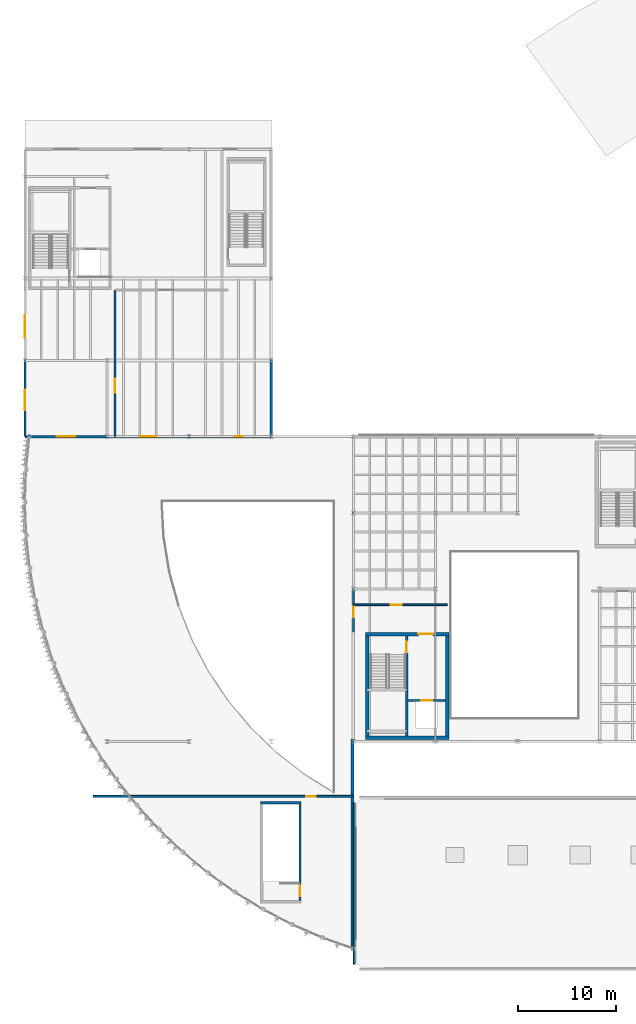
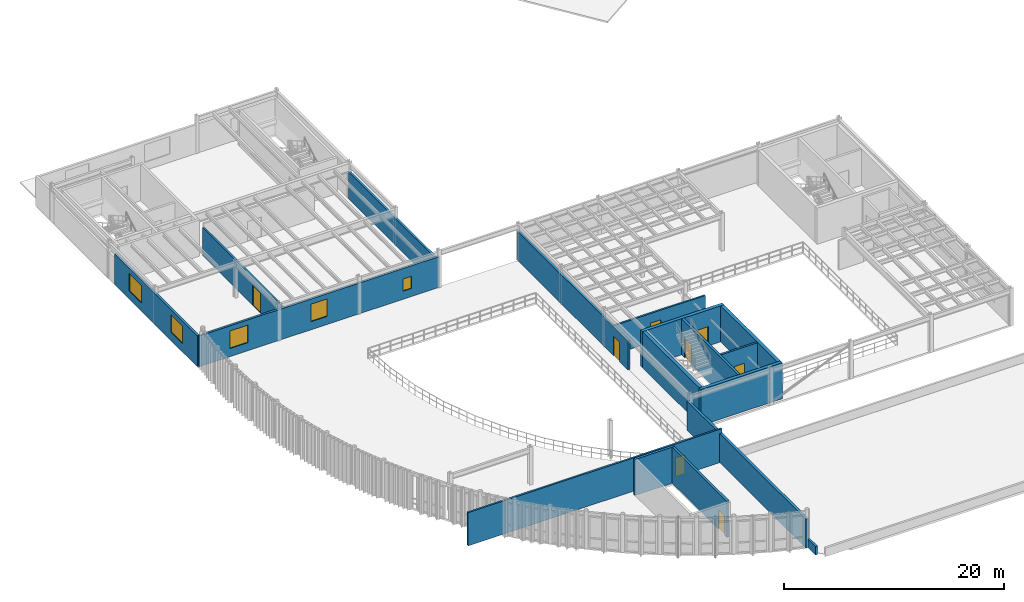
# One storey, part 37 of 54: 17 walls, 8 doors, 5 windows, 13 openings.
"""IFC4 building model written with IfcOpenShell, lengths in metres."""

from ifc_helpers import new_model, si_unit, direction, frame, frame_2d, origin, place, context, subcontext, project, spatial, rectangle, extrude, material, layer, layer_set, type_object, element, fill, save


model = new_model("IFC4")

# Units and contexts
model_context = context("Model", 3, precision=1e-05, world=origin(), true_north=direction((0.0, 1.0)))
body_context = subcontext(model_context, "Body", "Model", "MODEL_VIEW")
ifc_project = project(units=[si_unit("LENGTHUNIT", "METRE"), si_unit("AREAUNIT", "SQUARE_METRE"), si_unit("VOLUMEUNIT", "CUBIC_METRE"), si_unit("PLANEANGLEUNIT", "RADIAN"), si_unit("MASSUNIT", "GRAM", prefix="KILO")], contexts=[model_context])

# Site, building, storey
site_placement = place(None, origin())
site = spatial("IfcSite", under=ifc_project, at=site_placement, CompositionType="ELEMENT")
building_placement = place(site_placement, origin())
building = spatial("IfcBuilding", under=site, at=building_placement, Name="Selat Folded Stagehouse", CompositionType="ELEMENT")
storey_placement = place(building_placement, frame((0.0, 0.0, 15.0)))
storey = spatial("IfcBuildingStorey", under=building, at=storey_placement, Name="L03", CompositionType="ELEMENT", Elevation=15.0)

# Wall, opening, door
ifc_material_1 = material(Name="Acoustic twin-frame drywall partition", Category="gypsum")
ifc_layer_1 = layer(ifc_material_1, 0.18994140625)
ifc_layer_set_1 = layer_set([ifc_layer_1], Name="Acoustic twin-frame drywall partition")
wall_type_1 = type_object("IfcWallType", Name="WAL-ACOU-190", PredefinedType="PARTITIONING", material=ifc_layer_set_1)
wall_1_placement = place(storey_placement, frame((7.0, 17.800048828125, 0.0), z_axis=(0.0, 0.0, 1.0), x_axis=(1.0, 0.0, 0.0)))
wall_1 = element("IfcWall", 1, at=wall_1_placement, inside=storey, type_object=wall_type_1, Name="L03 interior partition wall 090", PredefinedType="PARTITIONING", context=body_context, shape_type="SweptSolid", body=[
    extrude(rectangle(XDim=26.60009765625, YDim=0.18994140625, at=frame_2d((13.300048828125, 0.0))), origin(), (0.0, 0.0, 1.0), 3.69189453125),
])
opening_1_placement = place(wall_1_placement, frame((21.760009765625, 0.0, 0.0)))
opening_1 = element("IfcOpeningElement", 2, at=opening_1_placement, cuts=wall_1, Name="Opening FD-30", PredefinedType="OPENING", context=body_context, shape_type="SweptSolid", body=[
    extrude(rectangle(XDim=1.0, YDim=2.10009765625, at=frame_2d((0.5, 1.050048828125))), frame((0.0, 0.10498046875, 0.0), z_axis=(0.0, -1.0, 0.0), x_axis=(1.0, 0.0, 0.0)), (0.0, 0.0, 1.0), 0.2099609375),
])
ifc_material_2 = material(Name="Smoke-sealed fire door", Category="wood")
door_type_1 = type_object("IfcDoorType", Name="DOR-FIRE-30", OperationType="NOTDEFINED", PredefinedType="DOOR", material=ifc_material_2)
door_1_placement = place(opening_1_placement, origin())
door_1 = element("IfcDoor", 3, at=door_1_placement, inside=storey, type_object=door_type_1, Name="L03 interior door IWAL-L03-090-1", OperationType="SINGLE_SWING_RIGHT", OverallHeight=2.10009765625, OverallWidth=1.0, PredefinedType="DOOR", context=body_context, shape_type="SweptSolid", body=[
    extrude(rectangle(XDim=1.0, YDim=2.10009765625, at=frame_2d((0.5, 1.050048828125))), frame((0.0, 0.02490234375, 0.0), z_axis=(0.0, -1.0, 0.0), x_axis=(1.0, 0.0, 0.0)), (0.0, 0.0, 1.0), 0.050048828125),
])
fill(opening_1, door_1)

wall_2_placement = place(storey_placement, frame((9.199951171875, 54.60009765625, 0.0), z_axis=(0.0, 0.0, 1.0), x_axis=(0.0, 1.0, 0.0)))
wall_2 = element("IfcWall", 4, at=wall_2_placement, inside=storey, type_object=wall_type_1, Name="L03 interior partition wall 098", PredefinedType="PARTITIONING", context=body_context, shape_type="SweptSolid", body=[
    extrude(rectangle(XDim=15.0, YDim=0.18994140625, at=frame_2d((7.5, 0.0))), origin(), (0.0, 0.0, 1.0), 3.10107421875),
])
opening_2_placement = place(wall_2_placement, frame((4.471435546875, 0.0, 0.0)))
opening_2 = element("IfcOpeningElement", 5, at=opening_2_placement, cuts=wall_2, Name="Opening RD-02", PredefinedType="OPENING", context=body_context, shape_type="SweptSolid", body=[
    extrude(rectangle(XDim=1.449951171875, YDim=2.199951171875, at=frame_2d((0.72509765625, 1.10009765625))), frame((0.0, 0.10498046875, 0.0), z_axis=(0.0, -1.0, 0.0), x_axis=(1.0, 0.0, 0.0)), (0.0, 0.0, 1.0), 0.2099609375),
])
ifc_material_3 = material(Name="Music studio acoustic door", Category="wood")
door_type_2 = type_object("IfcDoorType", Name="DOR-REH-1450", OperationType="NOTDEFINED", PredefinedType="DOOR", material=ifc_material_3)
door_2_placement = place(opening_2_placement, origin())
door_2 = element("IfcDoor", 6, at=door_2_placement, inside=storey, type_object=door_type_2, Name="L03 interior door IWAL-L03-098-1", OperationType="SINGLE_SWING_RIGHT", OverallHeight=2.199951171875, OverallWidth=1.449951171875, PredefinedType="DOOR", context=body_context, shape_type="SweptSolid", body=[
    extrude(rectangle(XDim=1.449951171875, YDim=2.199951171875, at=frame_2d((0.72509765625, 1.10009765625))), frame((0.0, 0.02490234375, 0.0), z_axis=(0.0, -1.0, 0.0), x_axis=(1.0, 0.0, 0.0)), (0.0, 0.0, 1.0), 0.050048828125),
])
fill(opening_2, door_2)

ifc_material_4 = material(Name="Concrete C40/50", Category="concrete")
ifc_layer_2 = layer(ifc_material_4, 0.179931640625)
ifc_layer_set_2 = layer_set([ifc_layer_2], Name="Concrete C40/50")
wall_type_2 = type_object("IfcWallType", Name="WAL-COMP-180", PredefinedType="STANDARD", material=ifc_layer_set_2)
wall_3_placement = place(storey_placement, frame((33.60009765625, 37.39990234375, 0.0), z_axis=(0.0, 0.0, 1.0), x_axis=(1.0, 0.0, 0.0)))
wall_3 = element("IfcWall", 7, at=wall_3_placement, inside=storey, type_object=wall_type_2, Name="L03 interior partition wall 092", PredefinedType="STANDARD", context=body_context, shape_type="SweptSolid", body=[
    extrude(rectangle(XDim=9.599853515625, YDim=0.179931640625, at=frame_2d((4.7998046875, 0.0))), origin(), (0.0, 0.0, 1.0), 3.22216796875),
])
opening_3_placement = place(wall_3_placement, frame((3.824951171875, 0.0, 0.0)))
opening_3 = element("IfcOpeningElement", 8, at=opening_3_placement, cuts=wall_3, Name="Opening FD-60", PredefinedType="OPENING", context=body_context, shape_type="SweptSolid", body=[
    extrude(rectangle(XDim=1.10009765625, YDim=2.14990234375, at=frame_2d((0.550048828125, 1.074951171875))), frame((0.0, 0.099853515625, 0.0), z_axis=(0.0, -1.0, 0.0), x_axis=(1.0, 0.0, 0.0)), (0.0, 0.0, 1.0), 0.199951171875),
])
ifc_material_5 = material(Name="Fire-rated timber core door", Category="wood")
door_type_3 = type_object("IfcDoorType", Name="DOR-FIRE-60", OperationType="NOTDEFINED", PredefinedType="DOOR", material=ifc_material_5)
door_3_placement = place(opening_3_placement, origin())
door_3 = element("IfcDoor", 9, at=door_3_placement, inside=storey, type_object=door_type_3, Name="L03 interior door IWAL-L03-092-1", OperationType="SINGLE_SWING_RIGHT", OverallHeight=2.14990234375, OverallWidth=1.10009765625, PredefinedType="DOOR", context=body_context, shape_type="SweptSolid", body=[
    extrude(rectangle(XDim=1.10009765625, YDim=2.14990234375, at=frame_2d((0.550048828125, 1.074951171875))), frame((0.0, 0.02490234375, 0.0), z_axis=(0.0, -1.0, 0.0), x_axis=(1.0, 0.0, 0.0)), (0.0, 0.0, 1.0), 0.050048828125),
])
fill(opening_3, door_3)

ifc_layer_3 = layer(ifc_material_4, 0.215087890625)
ifc_layer_set_3 = layer_set([ifc_layer_3], Name="Concrete C40/50")
wall_type_3 = type_object("IfcWallType", Name="WAL-COMP-215", PredefinedType="STANDARD", material=ifc_layer_set_3)
wall_4_placement = place(storey_placement, frame((39.2099609375, 27.60009765625, 0.0), z_axis=(0.0, 0.0, 1.0), x_axis=(1.0, 0.0, 0.0)))
wall_4 = element("IfcWall", 10, at=wall_4_placement, inside=storey, type_object=wall_type_3, Name="L03 FL-01 lift shaft front wall", PredefinedType="STANDARD", context=body_context, shape_type="SweptSolid", body=[
    extrude(rectangle(XDim=3.794921875, YDim=0.215087890625, at=frame_2d((1.8974609375, 0.0))), origin(), (0.0, 0.0, 1.0), 3.991943359375),
])
opening_4_placement = place(wall_4_placement, frame((1.347412109375, 0.0, 0.0)))
opening_4 = element("IfcOpeningElement", 11, at=opening_4_placement, cuts=wall_4, Name="Opening LD-01", PredefinedType="OPENING", context=body_context, shape_type="SweptSolid", body=[
    extrude(rectangle(XDim=1.10009765625, YDim=2.199951171875, at=frame_2d((0.550048828125, 1.10009765625))), frame((0.0, 0.117431640625, 0.0), z_axis=(0.0, -1.0, 0.0), x_axis=(1.0, 0.0, 0.0)), (0.0, 0.0, 1.0), 0.235107421875),
])
ifc_material_6 = material(Name="Firefighting lift stainless sliding landing door", Category="wood")
door_type_4 = type_object("IfcDoorType", Name="DOR-LFT-1100", OperationType="NOTDEFINED", PredefinedType="DOOR", material=ifc_material_6)
door_4_placement = place(opening_4_placement, origin())
door_4 = element("IfcDoor", 12, at=door_4_placement, inside=storey, type_object=door_type_4, Name="L03 FL-01 lift sliding landing door", OperationType="SLIDING_TO_LEFT", OverallHeight=2.199951171875, OverallWidth=1.10009765625, PredefinedType="DOOR", context=body_context, shape_type="SweptSolid", body=[
    extrude(rectangle(XDim=1.10009765625, YDim=2.199951171875, at=frame_2d((0.550048828125, 1.10009765625))), frame((0.0, 0.02490234375, 0.0), z_axis=(0.0, -1.0, 0.0), x_axis=(1.0, 0.0, 0.0)), (0.0, 0.0, 1.0), 0.050048828125),
])
fill(opening_4, door_4)

wall_5_placement = place(storey_placement, frame((33.60009765625, 34.60009765625, 0.0), z_axis=(0.0, 0.0, 1.0), x_axis=(0.0, 1.0, 0.0)))
wall_5 = element("IfcWall", 13, at=wall_5_placement, inside=storey, type_object=wall_type_3, Name="L03 interior partition wall 091", PredefinedType="STANDARD", context=body_context, shape_type="SweptSolid", body=[
    extrude(rectangle(XDim=20.0, YDim=0.215087890625, at=frame_2d((10.0, 0.0))), origin(), (0.0, 0.0, 1.0), 3.22216796875),
])
opening_5_placement = place(wall_5_placement, frame((1.511962890625, 0.0, 0.0)))
opening_5 = element("IfcOpeningElement", 14, at=opening_5_placement, cuts=wall_5, Name="Opening FD-60", PredefinedType="OPENING", context=body_context, shape_type="SweptSolid", body=[
    extrude(rectangle(XDim=1.10009765625, YDim=2.14990234375, at=frame_2d((0.550048828125, 1.074951171875))), frame((0.0, 0.117431640625, 0.0), z_axis=(0.0, -1.0, 0.0), x_axis=(1.0, 0.0, 0.0)), (0.0, 0.0, 1.0), 0.235107421875),
])
door_5_placement = place(opening_5_placement, origin())
door_5 = element("IfcDoor", 15, at=door_5_placement, inside=storey, type_object=door_type_3, Name="L03 interior door IWAL-L03-091-1", OperationType="SINGLE_SWING_LEFT", OverallHeight=2.14990234375, OverallWidth=1.10009765625, PredefinedType="DOOR", context=body_context, shape_type="SweptSolid", body=[
    extrude(rectangle(XDim=1.10009765625, YDim=2.14990234375, at=frame_2d((0.550048828125, 1.074951171875))), frame((0.0, 0.02490234375, 0.0), z_axis=(0.0, -1.0, 0.0), x_axis=(1.0, 0.0, 0.0)), (0.0, 0.0, 1.0), 0.050048828125),
])
fill(opening_5, door_5)

# Wall
ifc_material_7 = material(Name="Concrete C50/60", Category="concrete")
ifc_layer_4 = layer(ifc_material_7, 0.25)
ifc_layer_set_4 = layer_set([ifc_layer_4], Name="Concrete C50/60")
wall_type_4 = type_object("IfcWallType", Name="WAL-CORE-250", PredefinedType="SHEAR", material=ifc_layer_set_4)
wall_6_placement = place(storey_placement, frame((24.114990234375, 17.159912109375, 0.0), z_axis=(0.0, 0.0, 1.0), x_axis=(1.0, 0.0, 0.0)))
element("IfcWall", 16, at=wall_6_placement, inside=storey, type_object=wall_type_4, Name="L03 ST-09 north shaft wall", PredefinedType="SHEAR", context=body_context, shape_type="SweptSolid", body=[
    extrude(rectangle(XDim=4.14990234375, YDim=0.25, at=frame_2d((2.074951171875, 0.0))), origin(), (0.0, 0.0, 1.0), 4.0),
])

# Wall, opening, door
wall_7_placement = place(storey_placement, frame((28.139892578125, 17.034912109375, 0.0), z_axis=(0.0, 0.0, 1.0), x_axis=(0.0, -1.0, 0.0)))
wall_7 = element("IfcWall", 17, at=wall_7_placement, inside=storey, type_object=wall_type_4, Name="L03 ST-09 east shaft wall", PredefinedType="SHEAR", context=body_context, shape_type="SweptSolid", body=[
    extrude(rectangle(XDim=9.909912109375, YDim=0.25, at=frame_2d((4.955078125, 0.0))), origin(), (0.0, 0.0, 1.0), 4.0),
])
opening_6_placement = place(wall_7_placement, frame((8.360107421875, 0.0, 0.0)))
opening_6 = element("IfcOpeningElement", 18, at=opening_6_placement, cuts=wall_7, Name="Opening FD-60", PredefinedType="OPENING", context=body_context, shape_type="SweptSolid", body=[
    extrude(rectangle(XDim=1.10009765625, YDim=2.14990234375, at=frame_2d((0.550048828125, 1.074951171875))), frame((0.0, 0.135009765625, 0.0), z_axis=(0.0, -1.0, 0.0), x_axis=(1.0, 0.0, 0.0)), (0.0, 0.0, 1.0), 0.27001953125),
])
door_6_placement = place(opening_6_placement, origin())
door_6 = element("IfcDoor", 19, at=door_6_placement, inside=storey, type_object=door_type_3, Name="L03 ST-09 stair door", OperationType="SINGLE_SWING_RIGHT", OverallHeight=2.14990234375, OverallWidth=1.10009765625, PredefinedType="DOOR", context=body_context, shape_type="SweptSolid", body=[
    extrude(rectangle(XDim=1.10009765625, YDim=2.14990234375, at=frame_2d((0.550048828125, 1.074951171875))), frame((0.0, 0.02490234375, 0.0), z_axis=(0.0, -1.0, 0.0), x_axis=(1.0, 0.0, 0.0)), (0.0, 0.0, 1.0), 0.050048828125),
])
fill(opening_6, door_6)

wall_8_placement = place(storey_placement, frame((39.050048828125, 34.22509765625, 0.0), z_axis=(0.0, 0.0, 1.0), x_axis=(0.0, -1.0, 0.0)))
wall_8 = element("IfcWall", 20, at=wall_8_placement, inside=storey, type_object=wall_type_4, Name="L03 CR-1 internal core divider wall", PredefinedType="SHEAR", context=body_context, shape_type="SweptSolid", body=[
    extrude(rectangle(XDim=10.25, YDim=0.25, at=frame_2d((5.125, 0.0))), origin(), (0.0, 0.0, 1.0), 4.0),
])
opening_7_placement = place(wall_8_placement, frame((0.550048828125, 0.0, 0.0)))
opening_7 = element("IfcOpeningElement", 21, at=opening_7_placement, cuts=wall_8, Name="Opening FD-120", PredefinedType="OPENING", context=body_context, shape_type="SweptSolid", body=[
    extrude(rectangle(XDim=1.199951171875, YDim=2.14990234375, at=frame_2d((0.60009765625, 1.074951171875))), frame((0.0, 0.135009765625, 0.0), z_axis=(0.0, -1.0, 0.0), x_axis=(1.0, 0.0, 0.0)), (0.0, 0.0, 1.0), 0.27001953125),
])
ifc_material_8 = material(Name="Fire-rated steel acoustic door", Category="steel")
door_type_5 = type_object("IfcDoorType", Name="DOR-FIRE-120", OperationType="NOTDEFINED", PredefinedType="DOOR", material=ifc_material_8)
door_7_placement = place(opening_7_placement, origin())
door_7 = element("IfcDoor", 22, at=door_7_placement, inside=storey, type_object=door_type_5, Name="L03 CR-1 protected stair fire door", OperationType="SINGLE_SWING_LEFT", OverallHeight=2.14990234375, OverallWidth=1.199951171875, PredefinedType="DOOR", context=body_context, shape_type="SweptSolid", body=[
    extrude(rectangle(XDim=1.199951171875, YDim=2.14990234375, at=frame_2d((0.60009765625, 1.074951171875))), frame((0.0, 0.02490234375, 0.0), z_axis=(0.0, -1.0, 0.0), x_axis=(1.0, 0.0, 0.0)), (0.0, 0.0, 1.0), 0.050048828125),
])
fill(opening_7, door_7)

# Wall, openings, windows
ifc_material_9 = material(Name="Precast concrete C40/50", Category="concrete")
ifc_layer_5 = layer(ifc_material_9, 0.22998046875)
ifc_layer_set_5 = layer_set([ifc_layer_5], Name="Precast concrete C40/50")
wall_type_5 = type_object("IfcWallType", Name="WAL-EXT-230", PredefinedType="STANDARD", material=ifc_layer_set_5)
wall_9_placement = place(storey_placement, frame((25.199951171875, 54.60009765625, 0.0), z_axis=(0.0, 0.0, 1.0), x_axis=(-1.0, 0.0, 0.0)))
wall_9 = element("IfcWall", 23, at=wall_9_placement, inside=storey, type_object=wall_type_5, Name="L03 exterior facade wall EW-L03-V4S", PredefinedType="STANDARD", context=body_context, shape_type="SweptSolid", body=[
    extrude(rectangle(XDim=25.199951171875, YDim=0.22998046875, at=frame_2d((12.60009765625, 0.0))), origin(), (0.0, 0.0, 1.0), 3.41259765625),
])
opening_8_placement = place(wall_9_placement, frame((2.89990234375, 0.0, 0.89990234375)))
opening_8 = element("IfcOpeningElement", 24, at=opening_8_placement, cuts=wall_9, Name="Opening WN-44", PredefinedType="OPENING", context=body_context, shape_type="SweptSolid", body=[
    extrude(rectangle(XDim=0.89990234375, YDim=1.35009765625, at=frame_2d((0.449951171875, 0.675048828125))), frame((0.0, 0.125, 0.0), z_axis=(0.0, -1.0, 0.0), x_axis=(1.0, 0.0, 0.0)), (0.0, 0.0, 1.0), 0.25),
])
opening_9_placement = place(wall_9_placement, frame((11.75, 0.0, 0.89990234375)))
opening_9 = element("IfcOpeningElement", 25, at=opening_9_placement, cuts=wall_9, Name="Opening WN-32", PredefinedType="OPENING", context=body_context, shape_type="SweptSolid", body=[
    extrude(rectangle(XDim=1.699951171875, YDim=1.949951171875, at=frame_2d((0.85009765625, 0.97509765625))), frame((0.0, 0.125, 0.0), z_axis=(0.0, -1.0, 0.0), x_axis=(1.0, 0.0, 0.0)), (0.0, 0.0, 1.0), 0.25),
])
opening_10_placement = place(wall_9_placement, frame((20.050048828125, 0.0, 0.89990234375)))
opening_10 = element("IfcOpeningElement", 26, at=opening_10_placement, cuts=wall_9, Name="Opening WN-31", PredefinedType="OPENING", context=body_context, shape_type="SweptSolid", body=[
    extrude(rectangle(XDim=1.89990234375, YDim=1.949951171875, at=frame_2d((0.949951171875, 0.97509765625))), frame((0.0, 0.125, 0.0), z_axis=(0.0, -1.0, 0.0), x_axis=(1.0, 0.0, 0.0)), (0.0, 0.0, 1.0), 0.25),
])
ifc_material_10 = material(Name="Thermally broken aluminium and acoustic low-E glass", Category="aluminium")
window_type_1 = type_object("IfcWindowType", Name="WIN-ED-1700x1950", PartitioningType="SINGLE_PANEL", PredefinedType="WINDOW", material=ifc_material_10)
window_1_placement = place(opening_9_placement, origin())
window_1 = element("IfcWindow", 27, at=window_1_placement, inside=storey, type_object=window_type_1, Name="L03 exterior window EW-L03-V4S-2", OverallHeight=1.949951171875, OverallWidth=1.699951171875, PartitioningType="SINGLE_PANEL", PredefinedType="WINDOW", context=body_context, shape_type="SweptSolid", body=[
    extrude(rectangle(XDim=1.699951171875, YDim=1.949951171875, at=frame_2d((0.85009765625, 0.97509765625))), frame((0.0, 0.030029296875, 0.0), z_axis=(0.0, -1.0, 0.0), x_axis=(1.0, 0.0, 0.0)), (0.0, 0.0, 1.0), 0.06005859375),
])
fill(opening_9, window_1)
window_type_2 = type_object("IfcWindowType", Name="WIN-ED-1900x1950", PartitioningType="SINGLE_PANEL", PredefinedType="WINDOW", material=ifc_material_10)
window_2_placement = place(opening_10_placement, origin())
window_2 = element("IfcWindow", 28, at=window_2_placement, inside=storey, type_object=window_type_2, Name="L03 exterior window EW-L03-V4S-3", OverallHeight=1.949951171875, OverallWidth=1.89990234375, PartitioningType="SINGLE_PANEL", PredefinedType="WINDOW", context=body_context, shape_type="SweptSolid", body=[
    extrude(rectangle(XDim=1.89990234375, YDim=1.949951171875, at=frame_2d((0.949951171875, 0.97509765625))), frame((0.0, 0.030029296875, 0.0), z_axis=(0.0, -1.0, 0.0), x_axis=(1.0, 0.0, 0.0)), (0.0, 0.0, 1.0), 0.06005859375),
])
fill(opening_10, window_2)
window_type_3 = type_object("IfcWindowType", Name="WIN-ST-0900x1350", PartitioningType="SINGLE_PANEL", PredefinedType="WINDOW", material=ifc_material_10)
window_3_placement = place(opening_8_placement, origin())
window_3 = element("IfcWindow", 29, at=window_3_placement, inside=storey, type_object=window_type_3, Name="L03 exterior window EW-L03-V4S-1", OverallHeight=1.35009765625, OverallWidth=0.89990234375, PartitioningType="SINGLE_PANEL", PredefinedType="WINDOW", context=body_context, shape_type="SweptSolid", body=[
    extrude(rectangle(XDim=0.89990234375, YDim=1.35009765625, at=frame_2d((0.449951171875, 0.675048828125))), frame((0.0, 0.030029296875, 0.0), z_axis=(0.0, -1.0, 0.0), x_axis=(1.0, 0.0, 0.0)), (0.0, 0.0, 1.0), 0.06005859375),
])
fill(opening_8, window_3)

wall_10_placement = place(storey_placement, frame((0.0, 54.60009765625, 0.0), z_axis=(0.0, 0.0, 1.0), x_axis=(0.0, 1.0, 0.0)))
wall_10 = element("IfcWall", 30, at=wall_10_placement, inside=storey, type_object=wall_type_5, Name="L03 exterior facade wall EW-L03-V4W-1", PredefinedType="STANDARD", context=body_context, shape_type="SweptSolid", body=[
    extrude(rectangle(XDim=15.0, YDim=0.22998046875, at=frame_2d((7.5, 0.0))), origin(), (0.0, 0.0, 1.0), 3.4189453125),
])
opening_11_placement = place(wall_10_placement, frame((2.699951171875, 0.0, 0.89990234375)))
opening_11 = element("IfcOpeningElement", 31, at=opening_11_placement, cuts=wall_10, Name="Opening WN-30", PredefinedType="OPENING", context=body_context, shape_type="SweptSolid", body=[
    extrude(rectangle(XDim=2.10009765625, YDim=1.949951171875, at=frame_2d((1.050048828125, 0.97509765625))), frame((0.0, 0.125, 0.0), z_axis=(0.0, -1.0, 0.0), x_axis=(1.0, 0.0, 0.0)), (0.0, 0.0, 1.0), 0.25),
])
opening_12_placement = place(wall_10_placement, frame((10.10009765625, 0.0, 0.89990234375)))
opening_12 = element("IfcOpeningElement", 32, at=opening_12_placement, cuts=wall_10, Name="Opening WN-29", PredefinedType="OPENING", context=body_context, shape_type="SweptSolid", body=[
    extrude(rectangle(XDim=2.300048828125, YDim=1.949951171875, at=frame_2d((1.14990234375, 0.97509765625))), frame((0.0, 0.125, 0.0), z_axis=(0.0, -1.0, 0.0), x_axis=(1.0, 0.0, 0.0)), (0.0, 0.0, 1.0), 0.25),
])
window_type_4 = type_object("IfcWindowType", Name="WIN-ED-2100x1950", PartitioningType="SINGLE_PANEL", PredefinedType="WINDOW", material=ifc_material_10)
window_4_placement = place(opening_11_placement, origin())
window_4 = element("IfcWindow", 33, at=window_4_placement, inside=storey, type_object=window_type_4, Name="L03 exterior window EW-L03-V4W-1-1", OverallHeight=1.949951171875, OverallWidth=2.10009765625, PartitioningType="SINGLE_PANEL", PredefinedType="WINDOW", context=body_context, shape_type="SweptSolid", body=[
    extrude(rectangle(XDim=2.10009765625, YDim=1.949951171875, at=frame_2d((1.050048828125, 0.97509765625))), frame((0.0, 0.030029296875, 0.0), z_axis=(0.0, -1.0, 0.0), x_axis=(1.0, 0.0, 0.0)), (0.0, 0.0, 1.0), 0.06005859375),
])
fill(opening_11, window_4)
window_type_5 = type_object("IfcWindowType", Name="WIN-ED-2300x1950", PartitioningType="SINGLE_PANEL", PredefinedType="WINDOW", material=ifc_material_10)
window_5_placement = place(opening_12_placement, origin())
window_5 = element("IfcWindow", 34, at=window_5_placement, inside=storey, type_object=window_type_5, Name="L03 exterior window EW-L03-V4W-1-2", OverallHeight=1.949951171875, OverallWidth=2.300048828125, PartitioningType="SINGLE_PANEL", PredefinedType="WINDOW", context=body_context, shape_type="SweptSolid", body=[
    extrude(rectangle(XDim=2.300048828125, YDim=1.949951171875, at=frame_2d((1.14990234375, 0.97509765625))), frame((0.0, 0.030029296875, 0.0), z_axis=(0.0, -1.0, 0.0), x_axis=(1.0, 0.0, 0.0)), (0.0, 0.0, 1.0), 0.06005859375),
])
fill(opening_12, window_5)

# Walls
wall_11_placement = place(storey_placement, frame((25.199951171875, 70.800048828125, 0.0), z_axis=(0.0, 0.0, 1.0), x_axis=(0.0, -1.0, 0.0)))
element("IfcWall", 35, at=wall_11_placement, inside=storey, type_object=wall_type_5, Name="L03 exterior facade wall EW-L03-V4E-2", PredefinedType="STANDARD", context=body_context, shape_type="SweptSolid", body=[
    extrude(rectangle(XDim=16.199951171875, YDim=0.22998046875, at=frame_2d((8.10009765625, 0.0))), origin(), (0.0, 0.0, 1.0), 2.964111328125),
])
ifc_layer_6 = layer(ifc_material_9, 0.27490234375)
ifc_layer_set_6 = layer_set([ifc_layer_6], Name="Precast concrete C40/50")
wall_type_6 = type_object("IfcWallType", Name="WAL-EXT-275", PredefinedType="STANDARD", material=ifc_layer_set_6)
wall_12_placement = place(storey_placement, frame((33.52001953125, 2.050048828125, 0.0), z_axis=(0.0, 0.0, 1.0), x_axis=(0.0, 1.0, 0.0)))
element("IfcWall", 36, at=wall_12_placement, inside=storey, type_object=wall_type_6, Name="L03 exterior facade wall EW-L03-V1E-ALL", PredefinedType="STANDARD", context=body_context, shape_type="SweptSolid", body=[
    extrude(rectangle(XDim=21.599853515625, YDim=0.27490234375, at=frame_2d((10.7998046875, 0.0))), origin(), (0.0, 0.0, 1.0), 3.22216796875),
])
ifc_layer_7 = layer(ifc_material_9, 0.199951171875)
ifc_layer_set_7 = layer_set([ifc_layer_7], Name="Precast concrete C40/50")
wall_type_7 = type_object("IfcWallType", Name="WAL-PAR-200", PredefinedType="PARAPET", material=ifc_layer_set_7)
wall_13_placement = place(storey_placement, frame((33.699951171875, 17.14990234375, 0.0), z_axis=(0.0, 0.0, 1.0), x_axis=(0.0, -1.0, 0.0)))
element("IfcWall", 37, at=wall_13_placement, inside=storey, type_object=wall_type_7, Name="L03 roof parapet 04", PredefinedType="PARAPET", context=body_context, shape_type="SweptSolid", body=[
    extrude(rectangle(XDim=16.5, YDim=0.199951171875, at=frame_2d((8.25, 0.0))), origin(), (0.0, 0.0, 1.0), 0.949951171875),
])
ifc_layer_8 = layer(ifc_material_7, 0.35009765625)
ifc_layer_set_8 = layer_set([ifc_layer_8], Name="Concrete C50/60")
wall_type_8 = type_object("IfcWallType", Name="WAL-SW-350", PredefinedType="SHEAR", material=ifc_layer_set_8)
wall_14_placement = place(storey_placement, frame((43.375, 23.800048828125, 0.0), z_axis=(0.0, 0.0, 1.0), x_axis=(-1.0, 0.0, 0.0)))
element("IfcWall", 38, at=wall_14_placement, inside=storey, type_object=wall_type_8, Name="L03 CR-1 south shear wall", PredefinedType="SHEAR", context=body_context, shape_type="SweptSolid", body=[
    extrude(rectangle(XDim=8.550048828125, YDim=0.35009765625, at=frame_2d((4.27490234375, 0.0))), origin(), (0.0, 0.0, 1.0), 4.0),
])

# Wall, opening, door
wall_15_placement = place(storey_placement, frame((34.824951171875, 34.39990234375, 0.0), z_axis=(0.0, 0.0, 1.0), x_axis=(1.0, 0.0, 0.0)))
wall_15 = element("IfcWall", 39, at=wall_15_placement, inside=storey, type_object=wall_type_8, Name="L03 CR-1 north shear wall", PredefinedType="SHEAR", context=body_context, shape_type="SweptSolid", body=[
    extrude(rectangle(XDim=8.550048828125, YDim=0.35009765625, at=frame_2d((4.27490234375, 0.0))), origin(), (0.0, 0.0, 1.0), 4.0),
])
opening_13_placement = place(wall_15_placement, frame((5.425048828125, 0.0, 0.0)))
opening_13 = element("IfcOpeningElement", 40, at=opening_13_placement, cuts=wall_15, Name="Opening FD-120B", PredefinedType="OPENING", context=body_context, shape_type="SweptSolid", body=[
    extrude(rectangle(XDim=1.5, YDim=2.14990234375, at=frame_2d((0.75, 1.074951171875))), frame((0.0, 0.18505859375, 0.0), z_axis=(0.0, -1.0, 0.0), x_axis=(1.0, 0.0, 0.0)), (0.0, 0.0, 1.0), 0.3701171875),
])
ifc_material_11 = material(Name="Firefighting lobby double-leaf fire door", Category="wood")
door_type_6 = type_object("IfcDoorType", Name="DOR-FFL-1500", OperationType="NOTDEFINED", PredefinedType="DOOR", material=ifc_material_11)
door_8_placement = place(opening_13_placement, origin())
door_8 = element("IfcDoor", 41, at=door_8_placement, inside=storey, type_object=door_type_6, Name="L03 CR-1 core lobby fire door", OperationType="SINGLE_SWING_RIGHT", OverallHeight=2.14990234375, OverallWidth=1.5, PredefinedType="DOOR", context=body_context, shape_type="SweptSolid", body=[
    extrude(rectangle(XDim=1.5, YDim=2.14990234375, at=frame_2d((0.75, 1.074951171875))), frame((0.0, 0.02490234375, 0.0), z_axis=(0.0, -1.0, 0.0), x_axis=(1.0, 0.0, 0.0)), (0.0, 0.0, 1.0), 0.050048828125),
])
fill(opening_13, door_8)

# Walls
for number, where, z_axis, x_axis, name in (
    (42, (35.0, 23.97509765625, 0.0), (0.0, 0.0, 1.0), (0.0, 1.0, 0.0), "L03 CR-1 west shear wall"),
    (43, (43.199951171875, 34.22509765625, 0.0), (0.0, 0.0, 1.0), (0.0, -1.0, 0.0), "L03 CR-1 east shear wall"),
):
    element("IfcWall", number, at=place(storey_placement, frame(where, z_axis=z_axis, x_axis=x_axis)), inside=storey, type_object=wall_type_8, Name=name, PredefinedType="SHEAR", context=body_context, shape_type="SweptSolid", body=[
        extrude(rectangle(XDim=10.25, YDim=0.35009765625, at=frame_2d((5.125, 0.0))), origin(), (0.0, 0.0, 1.0), 4.0),
    ])

save(model, "model.ifc")
